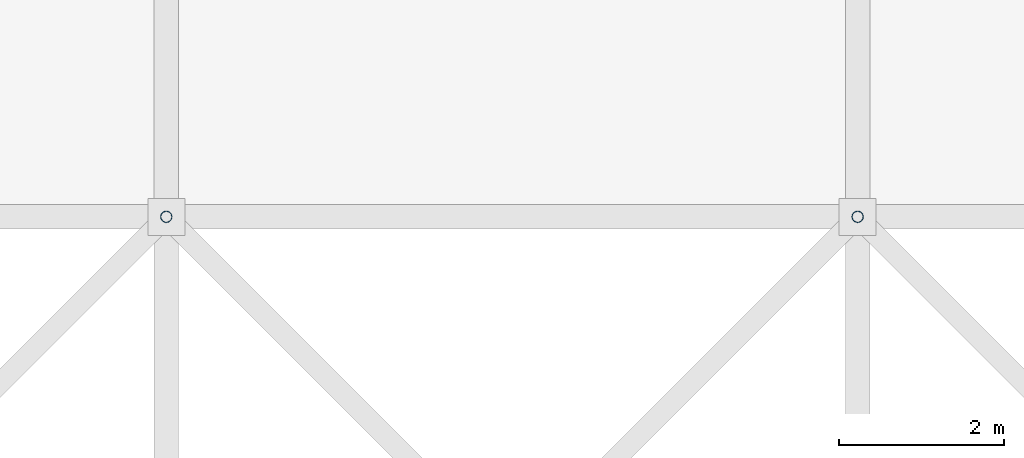
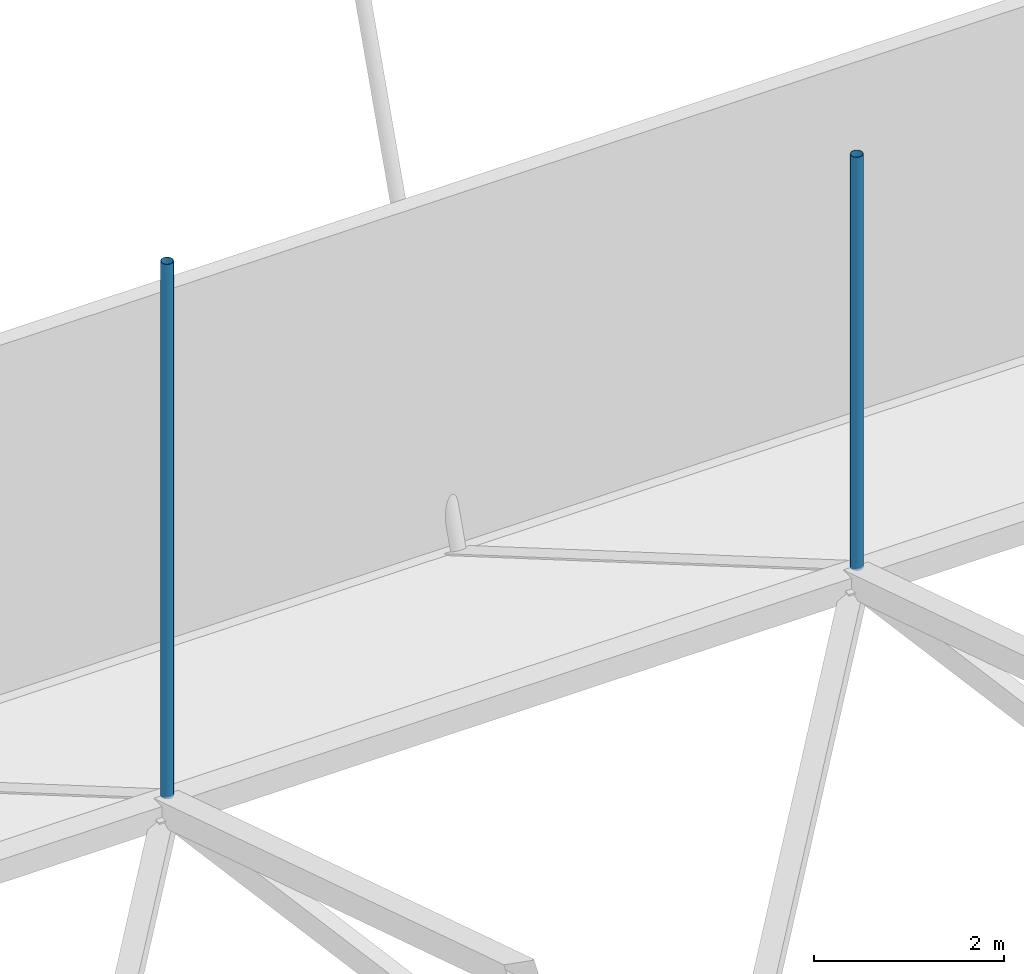
# One storey, part 95 of 111: 2 discrete accessories.
"""IFC4 building model written with IfcOpenShell, lengths in metres."""

from ifc_helpers import new_model, si_unit, direction, frame, origin, origin_2d, place, context, subcontext, project, spatial, hollow_circle, extrude, material, material_profile, profile_set, type_object, element, save


model = new_model("IFC4")

# Units and contexts
model_context = context("Model", 3, precision=1e-05, world=origin(), true_north=direction((0.0, 1.0)))
body_context = subcontext(model_context, "Body", "Model", "MODEL_VIEW")
ifc_project = project(units=[si_unit("LENGTHUNIT", "METRE"), si_unit("AREAUNIT", "SQUARE_METRE"), si_unit("VOLUMEUNIT", "CUBIC_METRE"), si_unit("PLANEANGLEUNIT", "RADIAN"), si_unit("MASSUNIT", "GRAM", prefix="KILO")], contexts=[model_context])

# Site, building, storey
site_placement = place(None, origin())
site = spatial("IfcSite", under=ifc_project, at=site_placement, CompositionType="ELEMENT")
building_placement = place(site_placement, origin())
building = spatial("IfcBuilding", under=site, at=building_placement, Name="Rain Tree Exposition and Congress Centre", CompositionType="ELEMENT")
storey_placement = place(building_placement, frame((0.0, 0.0, 19.5)))
storey = spatial("IfcBuildingStorey", under=building, at=storey_placement, Name="RF", CompositionType="ELEMENT", Elevation=19.5)

# Discrete accessories
ifc_material = material(Name="Steel S355J2H", Category="steel")
ifc_material_profile = material_profile(ifc_material, hollow_circle(Radius=0.06982421875, WallThickness=0.0048828125, at=origin_2d()), Name="CHS 140x5")
ifc_profile_set = profile_set([ifc_material_profile], Name="Steel S355J2H")
discrete_accessory_type = type_object("IfcDiscreteAccessoryType", Name="Roof skin post CHS 140x5", PredefinedType="BRACKET", material=ifc_profile_set)
discrete_accessory_1_placement = place(storey_placement, frame((193.199951171875, 193.199951171875, 5.39404296875), z_axis=(0.0, 0.0, 1.0), x_axis=(1.0, 0.0, 0.0)))
element("IfcDiscreteAccessory", 1, at=discrete_accessory_1_placement, inside=storey, type_object=discrete_accessory_type, Name="Roof skin post B150", PredefinedType="BRACKET", context=body_context, shape_type="SweptSolid", body=[
    extrude(hollow_circle(Radius=0.06982421875, WallThickness=0.0048828125, at=origin_2d()), origin(), (0.0, 0.0, 1.0), 6.884521484375),
])
discrete_accessory_2_placement = place(storey_placement, frame((201.60009765625, 193.199951171875, 5.39404296875), z_axis=(0.0, 0.0, 1.0), x_axis=(1.0, 0.0, 0.0)))
element("IfcDiscreteAccessory", 2, at=discrete_accessory_2_placement, inside=storey, type_object=discrete_accessory_type, Name="Roof skin post B151", PredefinedType="BRACKET", context=body_context, shape_type="SweptSolid", body=[
    extrude(hollow_circle(Radius=0.06982421875, WallThickness=0.0048828125, at=origin_2d()), origin(), (0.0, 0.0, 1.0), 5.3232421875),
])

save(model, "model.ifc")
